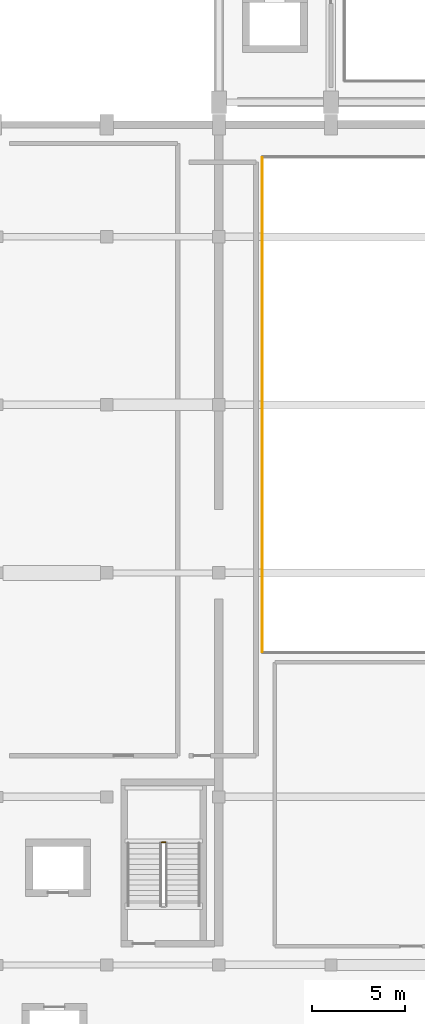
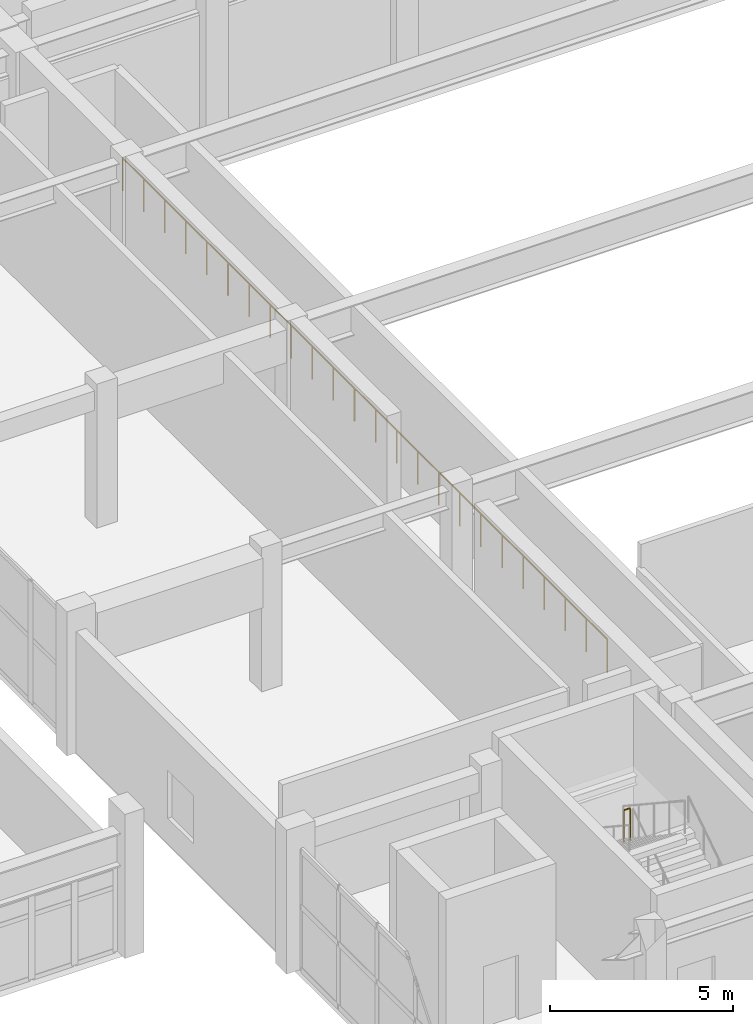
# One storey, part 53 of 62: 2 railings.
"""IFC4 building model written with IfcOpenShell, lengths in metres."""

from ifc_helpers import new_model, si_unit, direction, frame, origin, origin_2d, place, context, subcontext, project, spatial, circle, extrude, material, type_object, element, save


model = new_model("IFC4")

# Units and contexts
model_context = context("Model", 3, precision=1e-05, world=origin(), true_north=direction((0.0, 1.0)))
body_context = subcontext(model_context, "Body", "Model", "MODEL_VIEW")
ifc_project = project(units=[si_unit("LENGTHUNIT", "METRE"), si_unit("AREAUNIT", "SQUARE_METRE"), si_unit("VOLUMEUNIT", "CUBIC_METRE"), si_unit("PLANEANGLEUNIT", "RADIAN"), si_unit("MASSUNIT", "GRAM", prefix="KILO")], contexts=[model_context])

# Site, building, storey
site_placement = place(None, origin())
site = spatial("IfcSite", under=ifc_project, at=site_placement, CompositionType="ELEMENT")
building_placement = place(site_placement, origin())
building = spatial("IfcBuilding", under=site, at=building_placement, Name="Vaelkrest Opera House", CompositionType="ELEMENT")
storey_placement = place(building_placement, frame((0.0, 0.0, 19.800048828125)))
storey = spatial("IfcBuildingStorey", under=building, at=storey_placement, Name="L04", CompositionType="ELEMENT", Elevation=19.800048828125)

# Railings
ifc_material = material(Name="Dark bronze anodized aluminium", Category="aluminium")
railing_type_1 = type_object("IfcRailingType", Name="BL01", PredefinedType="BALUSTRADE", material=ifc_material)
railing_1_placement = place(storey_placement, frame((-15.679931640625, 14.43994140625, 0.0)))
element("IfcRailing", 1, at=railing_1_placement, inside=storey, type_object=railing_type_1, Name="Atrium/stage void guard V1 L04-1 seg 4", PredefinedType="BALUSTRADE", context=body_context, shape_type="SweptSolid", body=[
    extrude(circle(Radius=0.02392578125, at=origin_2d()), frame((0.0, 0.0, 1.09619140625), z_axis=(0.0, -1.0, 0.0), x_axis=(1.0, 0.0, 0.0)), (0.0, 0.0, 1.0), 26.47998046875),
    extrude(circle(Radius=0.02099609375, at=origin_2d()), origin(), (0.0, 0.0, 1.0), 1.072021484375),
    extrude(circle(Radius=0.02099609375, at=origin_2d()), frame((0.0, -1.1513671875, 0.0)), (0.0, 0.0, 1.0), 1.072021484375),
    extrude(circle(Radius=0.02099609375, at=origin_2d()), frame((0.0, -2.302490234375, 0.0)), (0.0, 0.0, 1.0), 1.072021484375),
    extrude(circle(Radius=0.02099609375, at=origin_2d()), frame((0.0, -3.453857421875, 0.0)), (0.0, 0.0, 1.0), 1.072021484375),
    extrude(circle(Radius=0.02099609375, at=origin_2d()), frame((0.0, -4.605224609375, 0.0)), (0.0, 0.0, 1.0), 1.072021484375),
    extrude(circle(Radius=0.02099609375, at=origin_2d()), frame((0.0, -5.756591796875, 0.0)), (0.0, 0.0, 1.0), 1.072021484375),
    extrude(circle(Radius=0.02099609375, at=origin_2d()), frame((0.0, -6.90771484375, 0.0)), (0.0, 0.0, 1.0), 1.072021484375),
    extrude(circle(Radius=0.02099609375, at=origin_2d()), frame((0.0, -8.05908203125, 0.0)), (0.0, 0.0, 1.0), 1.072021484375),
    extrude(circle(Radius=0.02099609375, at=origin_2d()), frame((0.0, -9.21044921875, 0.0)), (0.0, 0.0, 1.0), 1.072021484375),
    extrude(circle(Radius=0.02099609375, at=origin_2d()), frame((0.0, -10.36181640625, 0.0)), (0.0, 0.0, 1.0), 1.072021484375),
    extrude(circle(Radius=0.02099609375, at=origin_2d()), frame((0.0, -11.512939453125, 0.0)), (0.0, 0.0, 1.0), 1.072021484375),
    extrude(circle(Radius=0.02099609375, at=origin_2d()), frame((0.0, -12.664306640625, 0.0)), (0.0, 0.0, 1.0), 1.072021484375),
    extrude(circle(Radius=0.02099609375, at=origin_2d()), frame((0.0, -13.815673828125, 0.0)), (0.0, 0.0, 1.0), 1.072021484375),
    extrude(circle(Radius=0.02099609375, at=origin_2d()), frame((0.0, -14.967041015625, 0.0)), (0.0, 0.0, 1.0), 1.072021484375),
    extrude(circle(Radius=0.02099609375, at=origin_2d()), frame((0.0, -16.1181640625, 0.0)), (0.0, 0.0, 1.0), 1.072021484375),
    extrude(circle(Radius=0.02099609375, at=origin_2d()), frame((0.0, -17.26953125, 0.0)), (0.0, 0.0, 1.0), 1.072021484375),
    extrude(circle(Radius=0.02099609375, at=origin_2d()), frame((0.0, -18.4208984375, 0.0)), (0.0, 0.0, 1.0), 1.072021484375),
    extrude(circle(Radius=0.02099609375, at=origin_2d()), frame((0.0, -19.572265625, 0.0)), (0.0, 0.0, 1.0), 1.072021484375),
    extrude(circle(Radius=0.02099609375, at=origin_2d()), frame((0.0, -20.723388671875, 0.0)), (0.0, 0.0, 1.0), 1.072021484375),
    extrude(circle(Radius=0.02099609375, at=origin_2d()), frame((0.0, -21.874755859375, 0.0)), (0.0, 0.0, 1.0), 1.072021484375),
    extrude(circle(Radius=0.02099609375, at=origin_2d()), frame((0.0, -23.026123046875, 0.0)), (0.0, 0.0, 1.0), 1.072021484375),
    extrude(circle(Radius=0.02099609375, at=origin_2d()), frame((0.0, -24.177490234375, 0.0)), (0.0, 0.0, 1.0), 1.072021484375),
    extrude(circle(Radius=0.02099609375, at=origin_2d()), frame((0.0, -25.32861328125, 0.0)), (0.0, 0.0, 1.0), 1.072021484375),
    extrude(circle(Radius=0.02099609375, at=origin_2d()), frame((0.0, -26.47998046875, 0.0)), (0.0, 0.0, 1.0), 1.072021484375),
])
railing_type_2 = type_object("IfcRailingType", Name="GR02", PredefinedType="GUARDRAIL", material=ifc_material)
railing_2_placement = place(storey_placement, frame((-20.85009765625, -22.239990234375, 2.39990234375)))
element("IfcRailing", 2, at=railing_2_placement, inside=storey, type_object=railing_type_2, Name="L04 ST01 stair guard 2", PredefinedType="GUARDRAIL", context=body_context, shape_type="SweptSolid", body=[
    extrude(circle(Radius=0.02392578125, at=origin_2d()), frame((0.0, 0.0, 1.076171875), z_axis=(-1.0, 0.0, 0.0), x_axis=(0.0, -1.0, 0.0)), (0.0, 0.0, 1.0), 0.199951171875),
    extrude(circle(Radius=0.02099609375, at=origin_2d()), origin(), (0.0, 0.0, 1.0), 1.052001953125),
    extrude(circle(Radius=0.02099609375, at=origin_2d()), frame((-0.199951171875, 0.0, 0.0)), (0.0, 0.0, 1.0), 1.052001953125),
])

save(model, "model.ifc")
